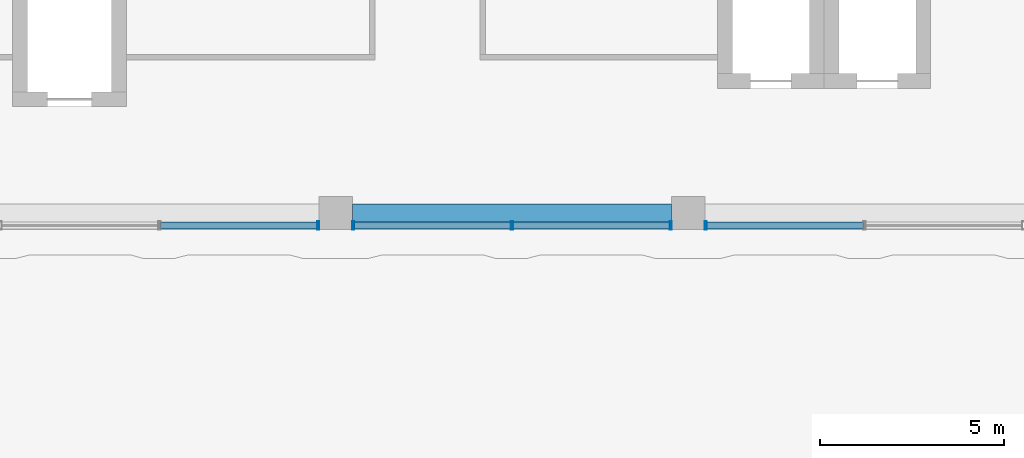
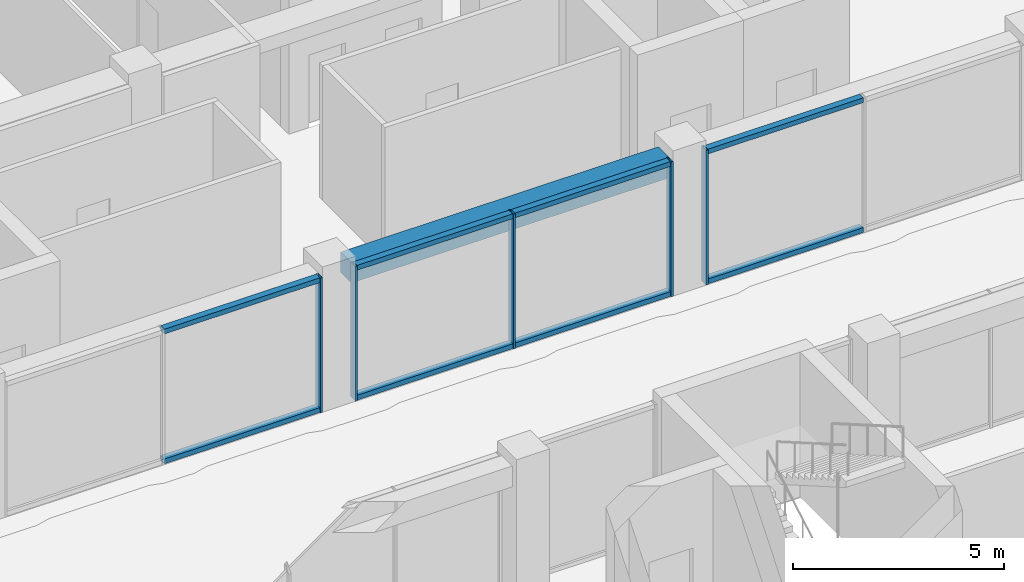
# One storey, part 10 of 72: 13 members, 1 beam, 3 elements without a shape of their own.
"""IFC4 building model written with IfcOpenShell, lengths in metres."""

from ifc_helpers import new_model, si_unit, direction, frame, origin, origin_2d, place, context, subcontext, project, spatial, rectangle, hollow_rectangle, extrude, material, layer, layer_set, material_profile, profile_set, type_object, element, aggregate, save


model = new_model("IFC4")

# Units and contexts
model_context = context("Model", 3, precision=1e-05, world=origin(), true_north=direction((0.0, 1.0)))
body_context = subcontext(model_context, "Body", "Model", "MODEL_VIEW")
ifc_project = project(units=[si_unit("LENGTHUNIT", "METRE"), si_unit("AREAUNIT", "SQUARE_METRE"), si_unit("VOLUMEUNIT", "CUBIC_METRE"), si_unit("PLANEANGLEUNIT", "RADIAN"), si_unit("MASSUNIT", "GRAM", prefix="KILO")], contexts=[model_context])

# Site, building, storey
site_placement = place(None, origin())
site = spatial("IfcSite", under=ifc_project, at=site_placement, CompositionType="ELEMENT")
building_placement = place(site_placement, origin())
building = spatial("IfcBuilding", under=site, at=building_placement, Name="Nzadi Deep Aquarium and Research Tower", CompositionType="ELEMENT")
storey_placement = place(building_placement, frame((0.0, 0.0, 31.89990234375)))
storey = spatial("IfcBuildingStorey", under=building, at=storey_placement, Name="L05", CompositionType="ELEMENT", Elevation=31.89990234375)

# Curtain wall, member
ifc_material_1 = material(Name="Aluminium unitised frame deep", Category="aluminium")
ifc_layer = layer(ifc_material_1, 0.22509765625)
ifc_layer_set = layer_set([ifc_layer], Name="Aluminium unitised frame deep")
curtain_wall_type = type_object("IfcCurtainWallType", Name="Curtain wall Unitised Deep 225", PredefinedType="NOTDEFINED", material=ifc_layer_set)
curtain_wall_1_placement = place(storey_placement, origin())
curtain_wall_1 = element("IfcCurtainWall", 1, at=curtain_wall_1_placement, inside=storey, type_object=curtain_wall_type, Name="Unitised curtain wall blade B south L05", PredefinedType="NOTDEFINED")
ifc_material_2 = material(Name="Aluminium unitised frame deep", Category="aluminium")
ifc_material_profile_1 = material_profile(ifc_material_2, hollow_rectangle(XDim=0.22509765625, YDim=0.06005859375, WallThickness=0.0048828125, at=origin_2d()))
ifc_profile_set_1 = profile_set([ifc_material_profile_1], Name="Aluminium unitised frame deep")
member_type_1 = type_object("IfcMemberType", Name="Mullion 60x225 Unitised Deep", PredefinedType="MULLION", material=ifc_profile_set_1)
member_1_placement = place(storey_placement, frame((18.719970703125, 27.262451171875, 0.0), z_axis=(0.0, 0.0, 1.0), x_axis=(0.0, 1.0, 0.0)))
member_1 = element("IfcMember", 2, at=member_1_placement, type_object=member_type_1, Name="CW079 mullion 3", PredefinedType="MULLION", context=body_context, shape_type="SweptSolid", body=[
    extrude(hollow_rectangle(XDim=0.22509765625, YDim=0.06005859375, WallThickness=0.0048828125, at=origin_2d()), origin(), (0.0, 0.0, 1.0), 3.900146484375),
])

# Curtain wall, members
curtain_wall_2_placement = place(storey_placement, origin())
curtain_wall_2 = element("IfcCurtainWall", 3, at=curtain_wall_2_placement, inside=storey, type_object=curtain_wall_type, Name="Unitised curtain wall blade B south L05", PredefinedType="NOTDEFINED")
member_2_placement = place(storey_placement, frame((19.679931640625, 27.262451171875, 0.0), z_axis=(0.0, 0.0, 1.0), x_axis=(0.0, 1.0, 0.0)))
member_2 = element("IfcMember", 4, at=member_2_placement, type_object=member_type_1, Name="CW080 mullion 1", PredefinedType="MULLION", context=body_context, shape_type="SweptSolid", body=[
    extrude(hollow_rectangle(XDim=0.22509765625, YDim=0.06005859375, WallThickness=0.0048828125, at=origin_2d()), origin(), (0.0, 0.0, 1.0), 3.900146484375),
])
member_3_placement = place(storey_placement, frame((24.0, 27.262451171875, 0.0), z_axis=(0.0, 0.0, 1.0), x_axis=(0.0, 1.0, 0.0)))
member_3 = element("IfcMember", 5, at=member_3_placement, type_object=member_type_1, Name="CW080 mullion 2", PredefinedType="MULLION", context=body_context, shape_type="SweptSolid", body=[
    extrude(hollow_rectangle(XDim=0.22509765625, YDim=0.06005859375, WallThickness=0.0048828125, at=origin_2d()), origin(), (0.0, 0.0, 1.0), 3.900146484375),
])
member_4_placement = place(storey_placement, frame((28.320068359375, 27.262451171875, 0.0), z_axis=(0.0, 0.0, 1.0), x_axis=(0.0, 1.0, 0.0)))
member_4 = element("IfcMember", 6, at=member_4_placement, type_object=member_type_1, Name="CW080 mullion 3", PredefinedType="MULLION", context=body_context, shape_type="SweptSolid", body=[
    extrude(hollow_rectangle(XDim=0.22509765625, YDim=0.06005859375, WallThickness=0.0048828125, at=origin_2d()), origin(), (0.0, 0.0, 1.0), 3.900146484375),
])

# Curtain wall, member
curtain_wall_3_placement = place(storey_placement, origin())
curtain_wall_3 = element("IfcCurtainWall", 7, at=curtain_wall_3_placement, inside=storey, type_object=curtain_wall_type, Name="Unitised curtain wall blade B south L05", PredefinedType="NOTDEFINED")
member_5_placement = place(storey_placement, frame((29.280029296875, 27.262451171875, 0.0), z_axis=(0.0, 0.0, 1.0), x_axis=(0.0, 1.0, 0.0)))
member_5 = element("IfcMember", 8, at=member_5_placement, type_object=member_type_1, Name="CW081 mullion 1", PredefinedType="MULLION", context=body_context, shape_type="SweptSolid", body=[
    extrude(hollow_rectangle(XDim=0.22509765625, YDim=0.06005859375, WallThickness=0.0048828125, at=origin_2d()), origin(), (0.0, 0.0, 1.0), 3.900146484375),
])

# Beam
ifc_material_3 = material(Name="Concrete C35/45", Category="concrete")
ifc_material_profile_2 = material_profile(ifc_material_3, rectangle(XDim=0.5, YDim=0.60009765625, at=origin_2d()))
ifc_profile_set_2 = profile_set([ifc_material_profile_2], Name="Concrete C35/45")
beam_type = type_object("IfcBeamType", Name="RC 500x600", PredefinedType="BEAM", material=ifc_profile_set_2)
beam_placement = place(storey_placement, frame((19.64990234375, 27.60009765625, 3.60009765625), z_axis=(1.0, 0.0, 0.0), x_axis=(0.0, 1.0, 0.0)))
element("IfcBeam", 9, at=beam_placement, inside=storey, type_object=beam_type, Name="B-Z1-L05-L4-3", PredefinedType="BEAM", context=body_context, shape_type="SweptSolid", body=[
    extrude(rectangle(XDim=0.5, YDim=0.60009765625, at=origin_2d()), origin(), (0.0, 0.0, 1.0), 8.7001953125),
])

# Member
ifc_material_4 = material(Name="Aluminium unitised frame deep", Category="aluminium")
ifc_material_profile_3 = material_profile(ifc_material_4, hollow_rectangle(XDim=0.179931640625, YDim=0.139892578125, WallThickness=0.0048828125, at=origin_2d()))
ifc_profile_set_3 = profile_set([ifc_material_profile_3], Name="Aluminium unitised frame deep")
member_type_2 = type_object("IfcMemberType", Name="Transom 140x180 Unitised Deep", PredefinedType="MULLION", material=ifc_profile_set_3)
member_6_placement = place(storey_placement, frame((14.429931640625, 27.262451171875, 0.070068359375), z_axis=(1.0, 0.0, 0.0), x_axis=(0.0, 1.0, 0.0)))
member_6 = element("IfcMember", 10, at=member_6_placement, type_object=member_type_2, Name="CW079 transom 2.1", PredefinedType="MULLION", context=body_context, shape_type="SweptSolid", body=[
    extrude(hollow_rectangle(XDim=0.179931640625, YDim=0.139892578125, WallThickness=0.0048828125, at=origin_2d()), origin(), (0.0, 0.0, 1.0), 4.260009765625),
])

member_7_placement = place(storey_placement, frame((14.429931640625, 27.262451171875, 3.830078125), z_axis=(1.0, 0.0, 0.0), x_axis=(0.0, 1.0, 0.0)))
member_7 = element("IfcMember", 11, at=member_7_placement, type_object=member_type_2, Name="CW079 transom 2.2", PredefinedType="MULLION", context=body_context, shape_type="SweptSolid", body=[
    extrude(hollow_rectangle(XDim=0.179931640625, YDim=0.139892578125, WallThickness=0.0048828125, at=origin_2d()), origin(), (0.0, 0.0, 1.0), 4.260009765625),
])

aggregate(curtain_wall_1, [member_1, member_6, member_7])

member_8_placement = place(storey_placement, frame((19.7099609375, 27.262451171875, 0.070068359375), z_axis=(1.0, 0.0, 0.0), x_axis=(0.0, 1.0, 0.0)))
member_8 = element("IfcMember", 12, at=member_8_placement, type_object=member_type_2, Name="CW080 transom 1.1", PredefinedType="MULLION", context=body_context, shape_type="SweptSolid", body=[
    extrude(hollow_rectangle(XDim=0.179931640625, YDim=0.139892578125, WallThickness=0.0048828125, at=origin_2d()), origin(), (0.0, 0.0, 1.0), 4.260009765625),
])

member_9_placement = place(storey_placement, frame((19.7099609375, 27.262451171875, 3.830078125), z_axis=(1.0, 0.0, 0.0), x_axis=(0.0, 1.0, 0.0)))
member_9 = element("IfcMember", 13, at=member_9_placement, type_object=member_type_2, Name="CW080 transom 1.2", PredefinedType="MULLION", context=body_context, shape_type="SweptSolid", body=[
    extrude(hollow_rectangle(XDim=0.179931640625, YDim=0.139892578125, WallThickness=0.0048828125, at=origin_2d()), origin(), (0.0, 0.0, 1.0), 4.260009765625),
])

member_10_placement = place(storey_placement, frame((24.030029296875, 27.262451171875, 0.070068359375), z_axis=(1.0, 0.0, 0.0), x_axis=(0.0, 1.0, 0.0)))
member_10 = element("IfcMember", 14, at=member_10_placement, type_object=member_type_2, Name="CW080 transom 2.1", PredefinedType="MULLION", context=body_context, shape_type="SweptSolid", body=[
    extrude(hollow_rectangle(XDim=0.179931640625, YDim=0.139892578125, WallThickness=0.0048828125, at=origin_2d()), origin(), (0.0, 0.0, 1.0), 4.260009765625),
])

member_11_placement = place(storey_placement, frame((24.030029296875, 27.262451171875, 3.830078125), z_axis=(1.0, 0.0, 0.0), x_axis=(0.0, 1.0, 0.0)))
member_11 = element("IfcMember", 15, at=member_11_placement, type_object=member_type_2, Name="CW080 transom 2.2", PredefinedType="MULLION", context=body_context, shape_type="SweptSolid", body=[
    extrude(hollow_rectangle(XDim=0.179931640625, YDim=0.139892578125, WallThickness=0.0048828125, at=origin_2d()), origin(), (0.0, 0.0, 1.0), 4.260009765625),
])

aggregate(curtain_wall_2, [member_2, member_3, member_4, member_8, member_9, member_10, member_11])

member_12_placement = place(storey_placement, frame((29.31005859375, 27.262451171875, 0.070068359375), z_axis=(1.0, 0.0, 0.0), x_axis=(0.0, 1.0, 0.0)))
member_12 = element("IfcMember", 16, at=member_12_placement, type_object=member_type_2, Name="CW081 transom 1.1", PredefinedType="MULLION", context=body_context, shape_type="SweptSolid", body=[
    extrude(hollow_rectangle(XDim=0.179931640625, YDim=0.139892578125, WallThickness=0.0048828125, at=origin_2d()), origin(), (0.0, 0.0, 1.0), 4.260009765625),
])

member_13_placement = place(storey_placement, frame((29.31005859375, 27.262451171875, 3.830078125), z_axis=(1.0, 0.0, 0.0), x_axis=(0.0, 1.0, 0.0)))
member_13 = element("IfcMember", 17, at=member_13_placement, type_object=member_type_2, Name="CW081 transom 1.2", PredefinedType="MULLION", context=body_context, shape_type="SweptSolid", body=[
    extrude(hollow_rectangle(XDim=0.179931640625, YDim=0.139892578125, WallThickness=0.0048828125, at=origin_2d()), origin(), (0.0, 0.0, 1.0), 4.260009765625),
])

aggregate(curtain_wall_3, [member_5, member_12, member_13])

save(model, "model.ifc")
